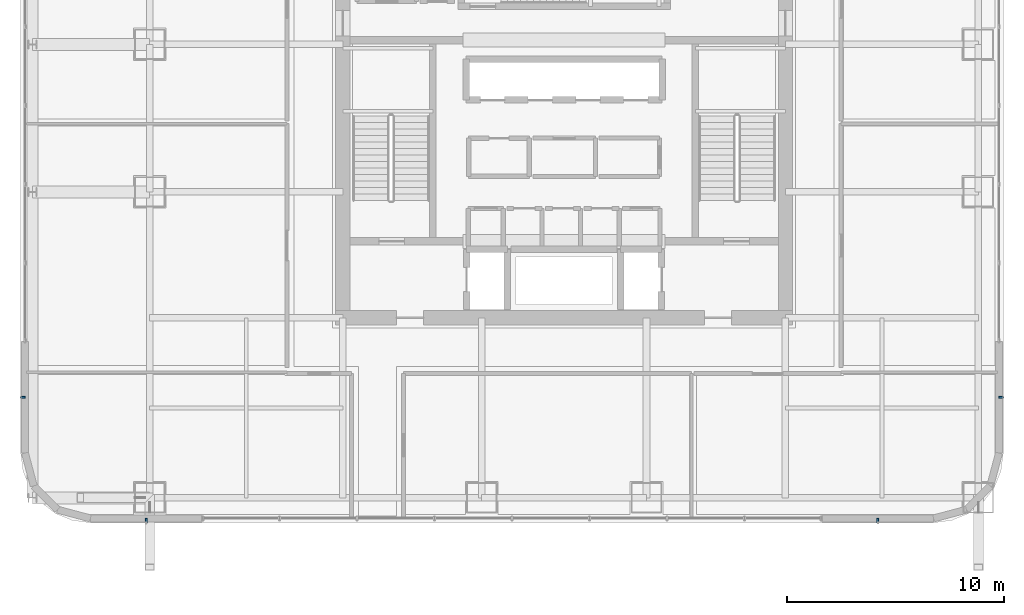
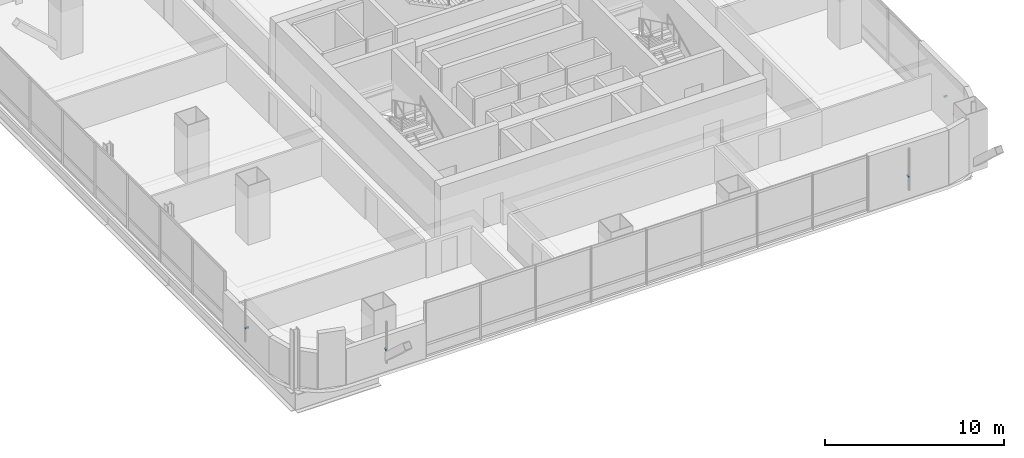
# One storey, part 36 of 47: 4 discrete accessories.
"""IFC4 building model written with IfcOpenShell, lengths in metres."""

import ifcopenshell
import ifcopenshell.guid

model = None  # the IFC model being written
_history = None  # IfcOwnerHistory: only IFC2X3 demands one
_inside = {}  # id of a spatial element -> (the spatial element, [elements in it])
_under = {}  # id of a project, library or spatial element -> (it, [spatial elements below it])
_declared = {}  # id of a project -> (the project, [libraries it declares])
_typed = {}  # id of a type object -> (the type object, [elements of that type])
_made_of = {}  # id of a material, layer set ... -> (it, [elements and type objects made of it])


def new_model(schema):
    """Start an empty IFC model of exactly this schema.

    Asked for "IFC4X3", IfcOpenShell would pick the latest addendum, in which some entities
    have other attributes; the version numbers below select the first issue.
    IFC2X3 requires an IfcOwnerHistory on every rooted entity: one is made here for all.
    """
    global model, _history
    if schema == "IFC4X3":
        model = ifcopenshell.file(schema_version=(4, 3, 0, 0))
    else:
        model = ifcopenshell.file(schema=schema)
    _inside.clear()
    _under.clear()
    _declared.clear()
    _typed.clear()
    _made_of.clear()
    _history = None
    if model.schema == "IFC2X3":
        org = make("IfcOrganization", Name="unknown")
        user = make(
            "IfcPersonAndOrganization",
            ThePerson=make("IfcPerson", FamilyName="unknown"),
            TheOrganization=org,
        )
        app = make(
            "IfcApplication",
            ApplicationDeveloper=org,
            Version="unknown",
            ApplicationFullName="unknown",
            ApplicationIdentifier="unknown",
        )
        _history = make(
            "IfcOwnerHistory",
            OwningUser=user,
            OwningApplication=app,
            ChangeAction="ADDED",
            CreationDate=0,
        )
    return model


def make(cls, **values):
    """One entity of the class cls with the attributes given. An attribute that is None is left unset."""
    return model.create_entity(
        cls, **{name: value for name, value in values.items() if value is not None}
    )


def rooted(cls, **values):
    """An entity with a GlobalId (a new one), such as an element, a storey or a relation."""
    return make(cls, GlobalId=ifcopenshell.guid.new(), OwnerHistory=_history, **values)


def si_unit(unit_type, name, prefix=None):
    """IfcSIUnit, for example si_unit("LENGTHUNIT", "METRE", prefix="MILLI")."""
    return make("IfcSIUnit", UnitType=unit_type, Prefix=prefix, Name=name)


def assignment(units):
    """IfcUnitAssignment: the units of a project."""
    return None if units is None else make("IfcUnitAssignment", Units=units)


def point(xyz):
    """IfcCartesianPoint."""
    return None if xyz is None else make("IfcCartesianPoint", Coordinates=xyz)


def direction(xyz):
    """IfcDirection."""
    return None if xyz is None else make("IfcDirection", DirectionRatios=xyz)


def frame(location, z_axis=None, x_axis=None):
    """IfcAxis2Placement3D, a coordinate frame: its origin and axes. An axis left out is left unset."""
    return make(
        "IfcAxis2Placement3D",
        Location=point(location),
        Axis=direction(z_axis),
        RefDirection=direction(x_axis),
    )


def frame_2d(location, x_axis=None):
    """IfcAxis2Placement2D, a coordinate frame in the plane: its origin and x axis."""
    return make(
        "IfcAxis2Placement2D", Location=point(location), RefDirection=direction(x_axis)
    )


def origin():
    """The frame at (0, 0, 0) with its axes left unset."""
    return frame((0.0, 0.0, 0.0))


def origin_2d():
    """The frame at (0, 0) in the plane with its x axis left unset."""
    return frame_2d((0.0, 0.0))


def place(relative_to, where):
    """IfcLocalPlacement: puts the frame where relative to a parent placement (None: the world)."""
    return make(
        "IfcLocalPlacement", PlacementRelTo=relative_to, RelativePlacement=where
    )


def context(
    kind, dimensions, precision=None, world=None, true_north=None, identifier=None
):
    """IfcGeometricRepresentationContext, for example the 3D "Model" context."""
    return make(
        "IfcGeometricRepresentationContext",
        ContextIdentifier=identifier,
        ContextType=kind,
        CoordinateSpaceDimension=dimensions,
        Precision=precision,
        WorldCoordinateSystem=world,
        TrueNorth=true_north,
    )


def subcontext(parent, identifier, kind, view, scale=None):
    """IfcGeometricRepresentationSubContext, for example "Body" below "Model"."""
    return make(
        "IfcGeometricRepresentationSubContext",
        ContextIdentifier=identifier,
        ContextType=kind,
        ParentContext=parent,
        TargetScale=scale,
        TargetView=view,
    )


def project(units=None, contexts=None):
    """IfcProject with its units and contexts."""
    return rooted(
        "IfcProject",
        Name="project",
        RepresentationContexts=contexts,
        UnitsInContext=assignment(units),
    )


def spatial(cls, under=None, at=None, **own):
    """A site, building, storey or space (cls), placed at a placement, below another one or the project."""
    s = rooted(cls, ObjectPlacement=at, **own)
    if under is not None:
        _under.setdefault(under.id(), (under, []))[1].append(s)
    return s


def profile(cls, at=None, kind="AREA", **sizes):
    """A parametric profile (cls). Its sizes go by their IFC names, for example OverallWidth=200.0."""
    return make(cls, ProfileType=kind, Position=at, **sizes)


def rectangle(**sizes):
    """IfcRectangleProfileDef."""
    return profile("IfcRectangleProfileDef", **sizes)


def extrude(swept, where, along, depth):
    """IfcExtrudedAreaSolid: the profile swept, set in the frame where, extruded along a direction by depth."""
    return make(
        "IfcExtrudedAreaSolid",
        SweptArea=swept,
        Position=where,
        ExtrudedDirection=direction(along),
        Depth=depth,
    )


def shape(context_of_items, identifier, shape_type, items):
    """IfcShapeRepresentation: the items that make up one representation, for example the "Body"."""
    return make(
        "IfcShapeRepresentation",
        ContextOfItems=context_of_items,
        RepresentationIdentifier=identifier,
        RepresentationType=shape_type,
        Items=items,
    )


def material(Name=None, Category=None):
    """IfcMaterial."""
    return make("IfcMaterial", Name=Name, Category=Category)


def made_of(thing, what):
    """Note that an element or type object is made of a material, layer set ...; save() writes the relation."""
    if what is not None:
        _made_of.setdefault(what.id(), (what, []))[1].append(thing)
    return thing


def type_object(cls, material=None, **own):
    """A type object (cls), such as IfcWallType, which elements share."""
    return made_of(rooted(cls, **own), material)


def element(
    cls,
    number,
    at=None,
    inside=None,
    cuts=None,
    type_object=None,
    material=None,
    context=None,
    identifier="Body",
    shape_type=None,
    held_by="IfcProductDefinitionShape",
    body=None,
    shapes=None,
    **own,
):
    """One element of the class cls, such as IfcWall. Its Tag is "e" and its number.

    at: its placement. inside: the storey or other place that contains it. cuts: it is an
    opening in that element (IfcRelVoidsElement). A single representation is given by context,
    identifier, shape_type and body (its items); several are given by shapes. held_by: the class
    of the entity that holds the representations. save() writes the other relations.
    """
    e = rooted(cls, Tag="e%d" % number, ObjectPlacement=at, **own)
    if body is not None:
        shapes = [shape(context, identifier, shape_type, body)]
    if shapes is not None:
        e.Representation = make(held_by, Representations=shapes)
    if inside is not None:
        _inside.setdefault(inside.id(), (inside, []))[1].append(e)
    if cuts is not None:
        rooted(
            "IfcRelVoidsElement", RelatingBuildingElement=cuts, RelatedOpeningElement=e
        )
    if type_object is not None:
        _typed.setdefault(type_object.id(), (type_object, []))[1].append(e)
    return made_of(e, material)


def aggregate(whole, parts):
    """IfcRelAggregates: a whole, such as a stair, and the parts it consists of."""
    return rooted("IfcRelAggregates", RelatingObject=whole, RelatedObjects=parts)


def save(model, path):
    """Write the relations noted so far, then the file.

    IfcRelAggregates (storeys below a building ...), IfcRelContainedInSpatialStructure (elements
    in a storey), IfcRelDefinesByType, IfcRelAssociatesMaterial and IfcRelDeclares: one each for
    every whole, place, type object, material and project.
    """
    for whole, parts in _under.values():
        aggregate(whole, parts)
    for where, things in _inside.values():
        rooted(
            "IfcRelContainedInSpatialStructure",
            RelatedElements=things,
            RelatingStructure=where,
        )
    for kind, things in _typed.values():
        rooted("IfcRelDefinesByType", RelatedObjects=things, RelatingType=kind)
    for what, things in _made_of.values():
        rooted("IfcRelAssociatesMaterial", RelatedObjects=things, RelatingMaterial=what)
    for by, libraries in _declared.values():
        rooted("IfcRelDeclares", RelatingContext=by, RelatedDefinitions=libraries)
    model.write(path)


model = new_model("IFC4")

# Units and contexts
model_context = context("Model", 3, precision=1e-05, world=origin(), true_north=direction((0.0, 1.0)))
body_context = subcontext(model_context, "Body", "Model", "MODEL_VIEW")
ifc_project = project(units=[si_unit("LENGTHUNIT", "METRE"), si_unit("AREAUNIT", "SQUARE_METRE"), si_unit("VOLUMEUNIT", "CUBIC_METRE"), si_unit("PLANEANGLEUNIT", "RADIAN"), si_unit("MASSUNIT", "GRAM", prefix="KILO")], contexts=[model_context])

# Site, building, storey
site_placement = place(None, origin())
site = spatial("IfcSite", under=ifc_project, at=site_placement, CompositionType="ELEMENT")
building_placement = place(site_placement, origin())
building = spatial("IfcBuilding", under=site, at=building_placement, Name="Punatoya Terracotta Tower", CompositionType="ELEMENT")
storey_placement = place(building_placement, frame((0.0, 0.0, 168.14990234375)))
storey = spatial("IfcBuildingStorey", under=building, at=storey_placement, Name="L39", CompositionType="ELEMENT", Elevation=168.14990234375)

# Discrete accessories
ifc_material = material(Name="Steel S355", Category="steel")
discrete_accessory_type = type_object("IfcDiscreteAccessoryType", Name="ACC-BRK-220", PredefinedType="BRACKET", material=ifc_material)
for number, where, z_axis, x_axis, name in (
    (1, (-19.2685546875, -18.550048828125, 1.449951171875), (0.0, 0.0, 1.0), (1.0, 0.0, 0.0), "L39 Jali Fin Support Bracket S1"),
    (2, (14.468505859375, -18.550048828125, 1.449951171875), (0.0, 0.0, 1.0), (1.0, 0.0, 0.0), "L39 Jali Fin Support Bracket S2"),
    (3, (20.14990234375, -12.868408203125, 1.449951171875), (0.0, 0.0, 1.0), (0.0, 1.0, 0.0), "L39 Jali Fin Support Bracket E1"),
    (4, (-24.949951171875, -12.868408203125, 1.449951171875), (0.0, 0.0, 1.0), (0.0, -1.0, 0.0), "L39 Jali Fin Support Bracket W2"),
):
    element("IfcDiscreteAccessory", number, at=place(storey_placement, frame(where, z_axis=z_axis, x_axis=x_axis)), inside=storey, type_object=discrete_accessory_type, Name=name, PredefinedType="BRACKET", context=body_context, shape_type="SweptSolid", body=[
        extrude(rectangle(XDim=0.090087890625, YDim=0.219970703125, at=origin_2d()), origin(), (0.0, 0.0, 1.0), 0.10009765625),
    ])

save(model, "model.ifc")
